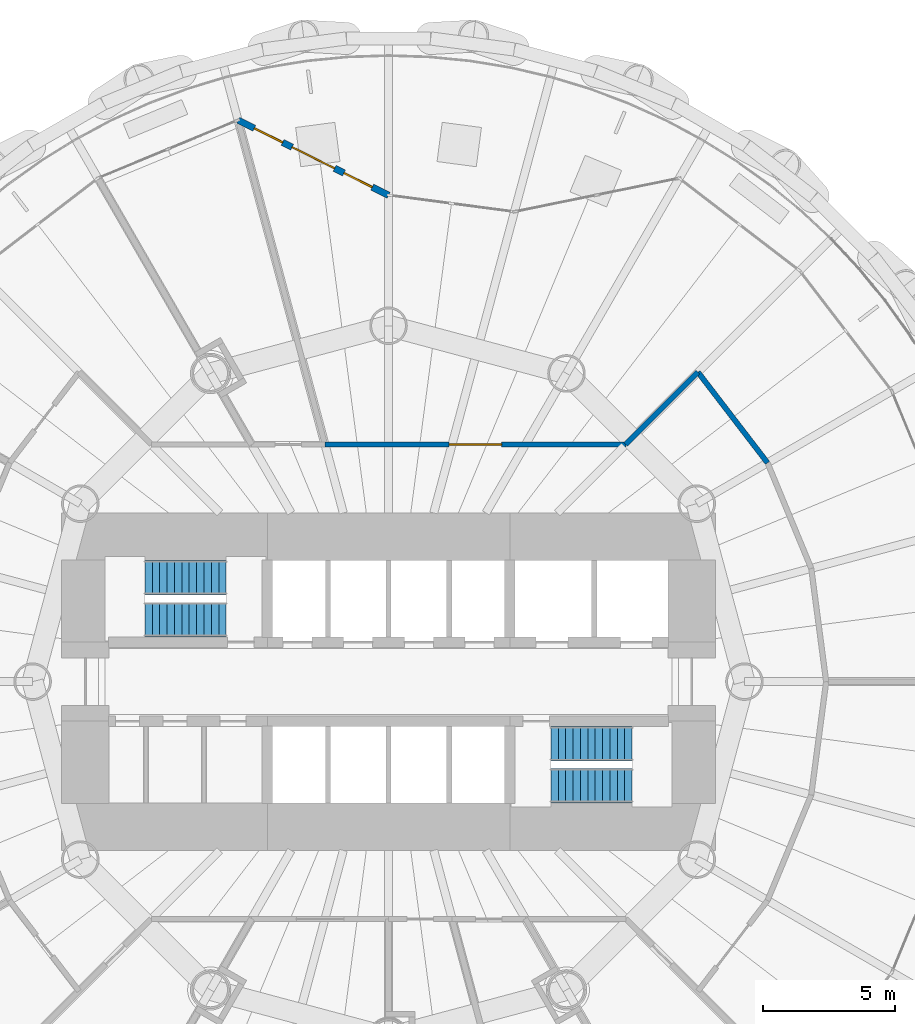
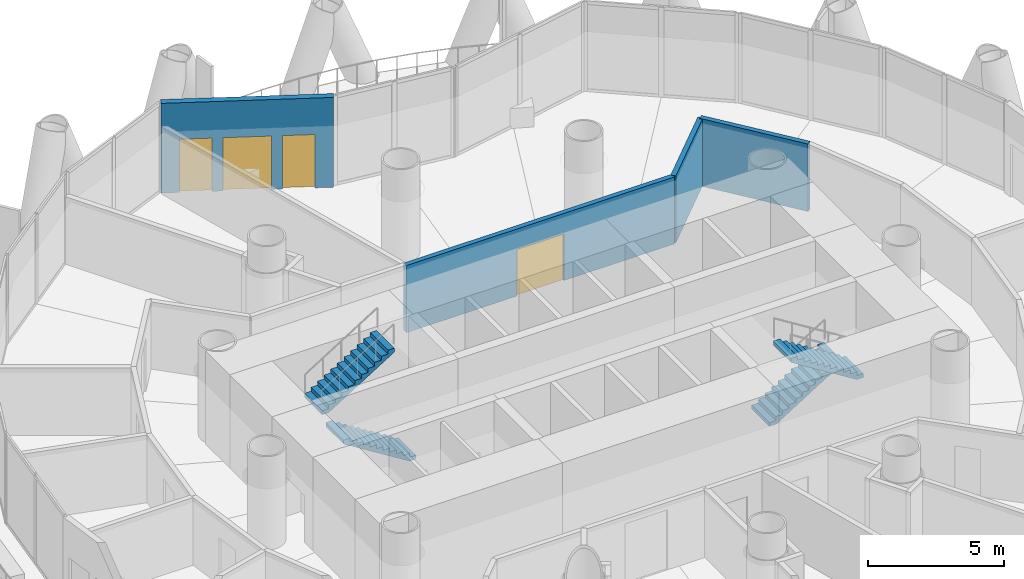
# One storey, part 12 of 16: 4 stair flights, 4 walls, 2 doors, 2 windows, 4 openings, 2 elements without a shape of their own.
"""IFC4 building model written with IfcOpenShell, lengths in metres."""

from ifc_helpers import new_model, si_unit, direction, frame, frame_2d, origin, place, context, subcontext, project, spatial, polyline, rectangle, outline, extrude, material, layer, layer_set, type_object, element, fill, aggregate, save


model = new_model("IFC4")

# Units and contexts
model_context = context("Model", 3, precision=1e-05, world=origin(), true_north=direction((0.0, 1.0)))
body_context = subcontext(model_context, "Body", "Model", "MODEL_VIEW")
ifc_project = project(units=[si_unit("LENGTHUNIT", "METRE"), si_unit("AREAUNIT", "SQUARE_METRE"), si_unit("VOLUMEUNIT", "CUBIC_METRE"), si_unit("PLANEANGLEUNIT", "RADIAN"), si_unit("MASSUNIT", "GRAM", prefix="KILO")], contexts=[model_context])

# Site, building, storey
site_placement = place(None, origin())
site = spatial("IfcSite", under=ifc_project, at=site_placement, CompositionType="ELEMENT")
building_placement = place(site_placement, origin())
building = spatial("IfcBuilding", under=site, at=building_placement, Name="Qaws Media Tower", CompositionType="ELEMENT")
storey_placement = place(building_placement, frame((0.0, 0.0, 47.0)))
storey = spatial("IfcBuildingStorey", under=building, at=storey_placement, Name="L09", CompositionType="ELEMENT", Elevation=47.0)

# Wall, openings, door, windows
ifc_material_1 = material(Name="Precast concrete, exposed finish", Category="concrete")
ifc_layer_1 = layer(ifc_material_1, 0.25)
ifc_layer_set_1 = layer_set([ifc_layer_1], Name="Balcony door wall 250")
wall_type_1 = type_object("IfcWallType", Name="Balcony door wall 250", PredefinedType="SOLIDWALL", material=ifc_layer_set_1)
wall_1_placement = place(storey_placement, frame((60.0, 68.449951171875, 0.0), z_axis=(0.0, 0.0, 1.0), x_axis=(-0.894733187087, 0.446601079181, 0.0)))
wall_1 = element("IfcWall", 1, at=wall_1_placement, inside=storey, type_object=wall_type_1, Name="W127 EW1 balcony door wall L09-07", PredefinedType="SOLIDWALL", context=body_context, shape_type="SweptSolid", body=[
    extrude(rectangle(XDim=6.37841796875, YDim=0.25, at=frame_2d((3.189208984375, 0.0))), origin(), (0.0, 0.0, 1.0), 4.0400390625),
])
opening_1_placement = place(wall_1_placement, frame((2.289306640625, 0.0, 0.0)))
opening_1 = element("IfcOpeningElement", 2, at=opening_1_placement, cuts=wall_1, Name="Opening D7", PredefinedType="OPENING", context=body_context, shape_type="SweptSolid", body=[
    extrude(rectangle(XDim=1.800048828125, YDim=2.39990234375, at=frame_2d((0.89990234375, 1.199951171875))), frame((0.0, 0.135009765625, 0.0), z_axis=(0.0, -1.0, 0.0), x_axis=(1.0, 0.0, 0.0)), (0.0, 0.0, 1.0), 0.27001953125),
])
opening_2_placement = place(wall_1_placement, frame((0.689208984375, 0.0, 0.0)))
opening_2 = element("IfcOpeningElement", 3, at=opening_2_placement, cuts=wall_1, Name="Opening W1", PredefinedType="OPENING", context=body_context, shape_type="SweptSolid", body=[
    extrude(rectangle(XDim=1.199951171875, YDim=2.39990234375, at=frame_2d((0.60009765625, 1.199951171875))), frame((0.0, 0.135009765625, 0.0), z_axis=(0.0, -1.0, 0.0), x_axis=(1.0, 0.0, 0.0)), (0.0, 0.0, 1.0), 0.27001953125),
])
opening_3_placement = place(wall_1_placement, frame((4.4892578125, 0.0, 0.0)))
opening_3 = element("IfcOpeningElement", 4, at=opening_3_placement, cuts=wall_1, Name="Opening W1", PredefinedType="OPENING", context=body_context, shape_type="SweptSolid", body=[
    extrude(rectangle(XDim=1.199951171875, YDim=2.39990234375, at=frame_2d((0.60009765625, 1.199951171875))), frame((0.0, 0.135009765625, 0.0), z_axis=(0.0, -1.0, 0.0), x_axis=(1.0, 0.0, 0.0)), (0.0, 0.0, 1.0), 0.27001953125),
])
ifc_material_2 = material(Name="Aluminium and clear glass", Category="aluminium")
door_type_1 = type_object("IfcDoorType", Name="Balcony door pair 1800", OperationType="DOUBLE_DOOR_SLIDING", PredefinedType="DOOR", material=ifc_material_2)
door_1_placement = place(opening_1_placement, origin())
door_1 = element("IfcDoor", 5, at=door_1_placement, inside=storey, type_object=door_type_1, Name="D7 balcony door L09-07 in wall W127", OperationType="DOUBLE_DOOR_SLIDING", OverallHeight=2.39990234375, OverallWidth=1.800048828125, PredefinedType="DOOR", context=body_context, shape_type="SweptSolid", body=[
    extrude(rectangle(XDim=1.800048828125, YDim=2.39990234375, at=frame_2d((0.89990234375, 1.199951171875))), frame((0.0, 0.02490234375, 0.0), z_axis=(0.0, -1.0, 0.0), x_axis=(1.0, 0.0, 0.0)), (0.0, 0.0, 1.0), 0.050048828125),
])
fill(opening_1, door_1)
ifc_material_3 = material(Name="Aluminium and clear glass", Category="aluminium")
window_type = type_object("IfcWindowType", Name="Balcony side window 1200", PartitioningType="SINGLE_PANEL", PredefinedType="WINDOW", material=ifc_material_3)
window_1_placement = place(opening_2_placement, origin())
window_1 = element("IfcWindow", 6, at=window_1_placement, inside=storey, type_object=window_type, Name="W1 balcony side light L09-07L", OverallHeight=2.39990234375, OverallWidth=1.199951171875, PartitioningType="SINGLE_PANEL", PredefinedType="WINDOW", context=body_context, shape_type="SweptSolid", body=[
    extrude(rectangle(XDim=1.199951171875, YDim=2.39990234375, at=frame_2d((0.60009765625, 1.199951171875))), frame((0.0, 0.030029296875, 0.0), z_axis=(0.0, -1.0, 0.0), x_axis=(1.0, 0.0, 0.0)), (0.0, 0.0, 1.0), 0.06005859375),
])
fill(opening_2, window_1)
window_2_placement = place(opening_3_placement, origin())
window_2 = element("IfcWindow", 7, at=window_2_placement, inside=storey, type_object=window_type, Name="W1 balcony side light L09-07R", OverallHeight=2.39990234375, OverallWidth=1.199951171875, PartitioningType="SINGLE_PANEL", PredefinedType="WINDOW", context=body_context, shape_type="SweptSolid", body=[
    extrude(rectangle(XDim=1.199951171875, YDim=2.39990234375, at=frame_2d((0.60009765625, 1.199951171875))), frame((0.0, 0.030029296875, 0.0), z_axis=(0.0, -1.0, 0.0), x_axis=(1.0, 0.0, 0.0)), (0.0, 0.0, 1.0), 0.06005859375),
])
fill(opening_3, window_2)

# Wall, opening, door
ifc_material_4 = material(Name="Gypsum board on galvanised metal studs, acoustic double stud, deflection head", Category="gypsum")
ifc_layer_2 = layer(ifc_material_4, 0.199951171875)
ifc_layer_set_2 = layer_set([ifc_layer_2], Name="Room partition 200")
wall_type_2 = type_object("IfcWallType", Name="Room partition 200", PredefinedType="PARTITIONING", material=ifc_layer_set_2)
wall_2_placement = place(storey_placement, frame((57.58837890625, 59.0, 0.0), z_axis=(0.0, 0.0, 1.0), x_axis=(1.0, 0.0, 0.0)))
wall_2 = element("IfcWall", 8, at=wall_2_placement, inside=storey, type_object=wall_type_2, Name="W1000 IW3 partition L09", PredefinedType="PARTITIONING", context=body_context, shape_type="SweptSolid", body=[
    extrude(rectangle(XDim=11.41162109375, YDim=0.199951171875, at=frame_2d((5.705810546875, 0.0))), origin(), (0.0, 0.0, 1.0), 3.02001953125),
])
opening_4_placement = place(wall_2_placement, frame((4.705810546875, 0.0, 0.0)))
opening_4 = element("IfcOpeningElement", 9, at=opening_4_placement, cuts=wall_2, Name="Opening D6", PredefinedType="OPENING", context=body_context, shape_type="SweptSolid", body=[
    extrude(rectangle(XDim=2.0, YDim=2.10009765625, at=frame_2d((1.0, 1.050048828125))), frame((0.0, 0.10986328125, 0.0), z_axis=(0.0, -1.0, 0.0), x_axis=(1.0, 0.0, 0.0)), (0.0, 0.0, 1.0), 0.219970703125),
])
ifc_material_5 = material(Name="Steel, acoustic, fire rated", Category="steel")
door_type_2 = type_object("IfcDoorType", Name="Room door pair 2000", OperationType="DOUBLE_DOOR_DOUBLE_SWING", PredefinedType="DOOR", material=ifc_material_5)
door_2_placement = place(opening_4_placement, origin())
door_2 = element("IfcDoor", 10, at=door_2_placement, inside=storey, type_object=door_type_2, Name="D6 Production office door L09 in wall W1000", OperationType="DOUBLE_DOOR_DOUBLE_SWING", OverallHeight=2.10009765625, OverallWidth=2.0, PredefinedType="DOOR", context=body_context, shape_type="SweptSolid", body=[
    extrude(rectangle(XDim=2.0, YDim=2.10009765625, at=frame_2d((1.0, 1.050048828125))), frame((0.0, 0.02490234375, 0.0), z_axis=(0.0, -1.0, 0.0), x_axis=(1.0, 0.0, 0.0)), (0.0, 0.0, 1.0), 0.050048828125),
])
fill(opening_4, door_2)

# Walls
wall_3_placement = place(storey_placement, frame((69.0, 59.0, 0.0), z_axis=(0.0, 0.0, 1.0), x_axis=(0.707106781187, 0.707106781187, 0.0)))
element("IfcWall", 11, at=wall_3_placement, inside=storey, type_object=wall_type_2, Name="W1011 IW3 partition L09", PredefinedType="PARTITIONING", context=body_context, shape_type="SweptSolid", body=[
    extrude(rectangle(XDim=3.8720703125, YDim=0.199951171875, at=frame_2d((1.93603515625, 0.0))), origin(), (0.0, 0.0, 1.0), 3.02001953125),
])
wall_4_placement = place(storey_placement, frame((71.738037109375, 61.738037109375, 0.0), z_axis=(0.0, 0.0, 1.0), x_axis=(0.60874374674, -0.79336690806, 0.0)))
element("IfcWall", 12, at=wall_4_placement, inside=storey, type_object=wall_type_2, Name="W1012 IW3 partition L09", PredefinedType="PARTITIONING", context=body_context, shape_type="SweptSolid", body=[
    extrude(rectangle(XDim=4.33349609375, YDim=0.199951171875, at=frame_2d((2.166748046875, 0.0))), origin(), (0.0, 0.0, 1.0), 3.0400390625),
])

# Stair, stair flights
ifc_material_6 = material(Name="Concrete C40/50", Category="concrete")
stair_type = type_object("IfcStairType", Name="Exit stair", PredefinedType="HALF_TURN_STAIR", material=ifc_material_6)
stair_1_placement = place(storey_placement, origin())
stair_1 = element("IfcStair", 13, at=stair_1_placement, inside=storey, type_object=stair_type, Name="S1 exit stair L09", PredefinedType="HALF_TURN_STAIR")
ifc_material_7 = material(Name="Concrete C40/50", Category="concrete")
stair_flight_type = type_object("IfcStairFlightType", Name="Stair flight 1310", PredefinedType="STRAIGHT", material=ifc_material_7)
stair_flight_1_placement = place(storey_placement, frame((53.840087890625, 52.35498046875, 0.0), z_axis=(0.0, 0.0, 1.0), x_axis=(-1.0, 0.0, 0.0)))
stair_flight_1 = element("IfcStairFlight", 14, at=stair_flight_1_placement, type_object=stair_flight_type, Name="S1 flight 1", NumberOfRisers=12, NumberOfTreads=11, PredefinedType="STRAIGHT", RiserHeight=0.175, TreadLength=0.28, context=body_context, shape_type="SweptSolid", body=[
    extrude(outline(polyline([(0.0, 0.0), (0.0, 0.175048828125), (0.280029296875, 0.175048828125), (0.280029296875, 0.35009765625), (0.56005859375, 0.35009765625), (0.56005859375, 0.52490234375), (0.840087890625, 0.52490234375), (0.840087890625, 0.699951171875), (1.1201171875, 0.699951171875), (1.1201171875, 0.875), (1.39990234375, 0.875), (1.39990234375, 1.050048828125), (1.679931640625, 1.050048828125), (1.679931640625, 1.22509765625), (1.9599609375, 1.22509765625), (1.9599609375, 1.39990234375), (2.239990234375, 1.39990234375), (2.239990234375, 1.574951171875), (2.52001953125, 1.574951171875), (2.52001953125, 1.75), (2.800048828125, 1.75), (2.800048828125, 1.925048828125), (3.080078125, 1.925048828125), (3.080078125, 2.10009765625), (3.080078125, 1.748291015625), (0.28271484375, 0.0), (0.0, 0.0)])), frame((0.0, 0.655029296875, 0.0), z_axis=(0.0, -1.0, 0.0), x_axis=(1.0, 0.0, 0.0)), (0.0, 0.0, 1.0), 1.31005859375),
])
stair_flight_2_placement = place(storey_placement, frame((50.760009765625, 53.945068359375, 2.10009765625), z_axis=(0.0, 0.0, 1.0), x_axis=(1.0, 0.0, 0.0)))
stair_flight_2 = element("IfcStairFlight", 15, at=stair_flight_2_placement, type_object=stair_flight_type, Name="S1 flight 2", NumberOfRisers=12, NumberOfTreads=11, PredefinedType="STRAIGHT", RiserHeight=0.175, TreadLength=0.28, context=body_context, shape_type="SweptSolid", body=[
    extrude(outline(polyline([(0.0, 0.0), (0.0, 0.175048828125), (0.280029296875, 0.175048828125), (0.280029296875, 0.35009765625), (0.56005859375, 0.35009765625), (0.56005859375, 0.52490234375), (0.840087890625, 0.52490234375), (0.840087890625, 0.699951171875), (1.1201171875, 0.699951171875), (1.1201171875, 0.875), (1.39990234375, 0.875), (1.39990234375, 1.050048828125), (1.679931640625, 1.050048828125), (1.679931640625, 1.22509765625), (1.9599609375, 1.22509765625), (1.9599609375, 1.39990234375), (2.239990234375, 1.39990234375), (2.239990234375, 1.574951171875), (2.52001953125, 1.574951171875), (2.52001953125, 1.75), (2.800048828125, 1.75), (2.800048828125, 1.925048828125), (3.080078125, 1.925048828125), (3.080078125, 2.10009765625), (3.080078125, 1.748291015625), (0.28271484375, 0.0), (0.0, 0.0)])), frame((0.0, 0.655029296875, 0.0), z_axis=(0.0, -1.0, 0.0), x_axis=(1.0, 0.0, 0.0)), (0.0, 0.0, 1.0), 1.31005859375),
])
aggregate(stair_1, [stair_flight_1, stair_flight_2])

stair_2_placement = place(storey_placement, origin())
stair_2 = element("IfcStair", 16, at=stair_2_placement, inside=storey, type_object=stair_type, Name="S2 exit stair L09", PredefinedType="HALF_TURN_STAIR")
stair_flight_3_placement = place(storey_placement, frame((66.159912109375, 47.64501953125, 0.0), z_axis=(0.0, 0.0, 1.0), x_axis=(1.0, 0.0, 0.0)))
stair_flight_3 = element("IfcStairFlight", 17, at=stair_flight_3_placement, type_object=stair_flight_type, Name="S2 flight 1", NumberOfRisers=12, NumberOfTreads=11, PredefinedType="STRAIGHT", RiserHeight=0.175, TreadLength=0.28, context=body_context, shape_type="SweptSolid", body=[
    extrude(outline(polyline([(0.0, 0.0), (0.0, 0.175048828125), (0.280029296875, 0.175048828125), (0.280029296875, 0.35009765625), (0.56005859375, 0.35009765625), (0.56005859375, 0.52490234375), (0.840087890625, 0.52490234375), (0.840087890625, 0.699951171875), (1.1201171875, 0.699951171875), (1.1201171875, 0.875), (1.39990234375, 0.875), (1.39990234375, 1.050048828125), (1.679931640625, 1.050048828125), (1.679931640625, 1.22509765625), (1.9599609375, 1.22509765625), (1.9599609375, 1.39990234375), (2.239990234375, 1.39990234375), (2.239990234375, 1.574951171875), (2.52001953125, 1.574951171875), (2.52001953125, 1.75), (2.800048828125, 1.75), (2.800048828125, 1.925048828125), (3.080078125, 1.925048828125), (3.080078125, 2.10009765625), (3.080078125, 1.748291015625), (0.28271484375, 0.0), (0.0, 0.0)])), frame((0.0, 0.655029296875, 0.0), z_axis=(0.0, -1.0, 0.0), x_axis=(1.0, 0.0, 0.0)), (0.0, 0.0, 1.0), 1.31005859375),
])
stair_flight_4_placement = place(storey_placement, frame((69.239990234375, 46.054931640625, 2.10009765625), z_axis=(0.0, 0.0, 1.0), x_axis=(-1.0, 0.0, 0.0)))
stair_flight_4 = element("IfcStairFlight", 18, at=stair_flight_4_placement, type_object=stair_flight_type, Name="S2 flight 2", NumberOfRisers=12, NumberOfTreads=11, PredefinedType="STRAIGHT", RiserHeight=0.175, TreadLength=0.28, context=body_context, shape_type="SweptSolid", body=[
    extrude(outline(polyline([(0.0, 0.0), (0.0, 0.175048828125), (0.280029296875, 0.175048828125), (0.280029296875, 0.35009765625), (0.56005859375, 0.35009765625), (0.56005859375, 0.52490234375), (0.840087890625, 0.52490234375), (0.840087890625, 0.699951171875), (1.1201171875, 0.699951171875), (1.1201171875, 0.875), (1.39990234375, 0.875), (1.39990234375, 1.050048828125), (1.679931640625, 1.050048828125), (1.679931640625, 1.22509765625), (1.9599609375, 1.22509765625), (1.9599609375, 1.39990234375), (2.239990234375, 1.39990234375), (2.239990234375, 1.574951171875), (2.52001953125, 1.574951171875), (2.52001953125, 1.75), (2.800048828125, 1.75), (2.800048828125, 1.925048828125), (3.080078125, 1.925048828125), (3.080078125, 2.10009765625), (3.080078125, 1.748291015625), (0.28271484375, 0.0), (0.0, 0.0)])), frame((0.0, 0.655029296875, 0.0), z_axis=(0.0, -1.0, 0.0), x_axis=(1.0, 0.0, 0.0)), (0.0, 0.0, 1.0), 1.31005859375),
])
aggregate(stair_2, [stair_flight_3, stair_flight_4])

save(model, "model.ifc")
